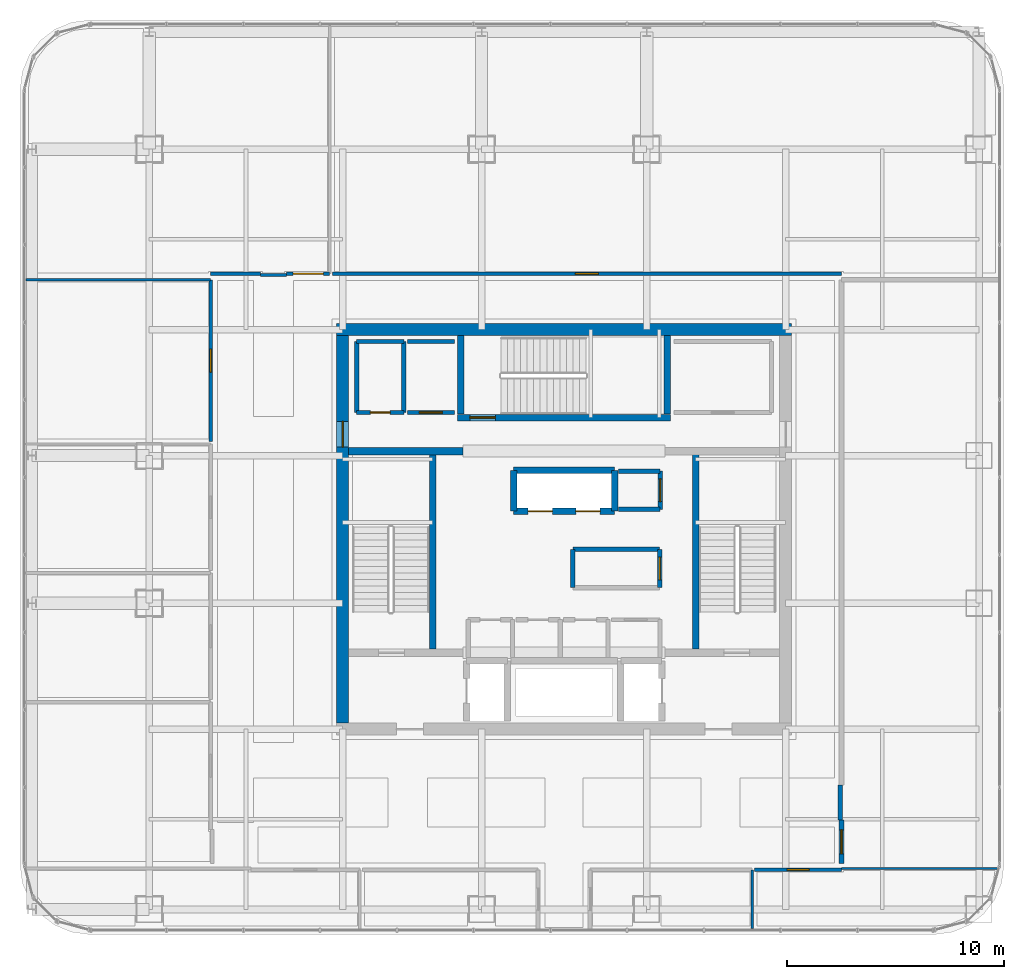
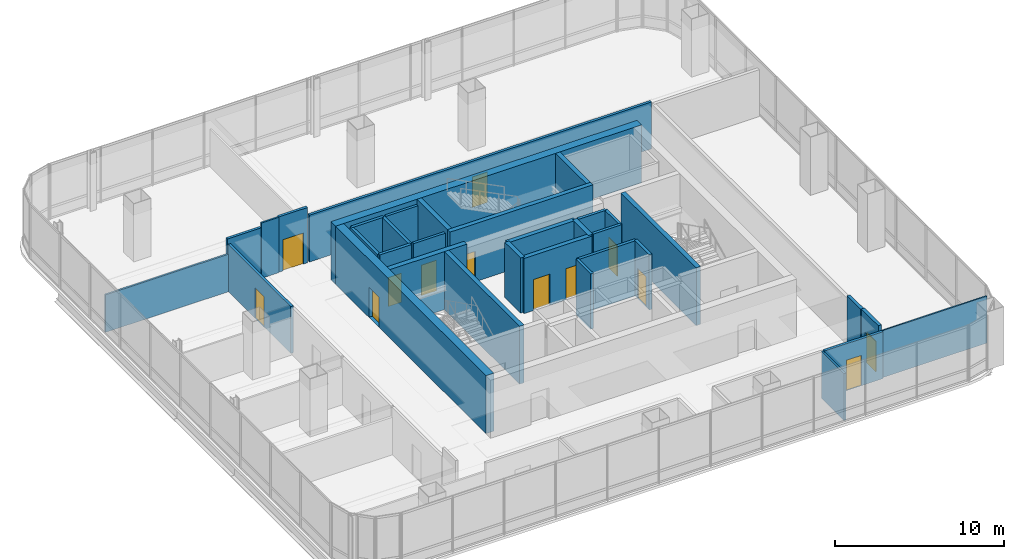
# One storey, part 35 of 42: 35 walls, 13 doors, 13 openings.
"""IFC4 building model written with IfcOpenShell, lengths in metres."""

from ifc_helpers import new_model, si_unit, direction, frame, frame_2d, origin, place, context, subcontext, project, spatial, rectangle, extrude, material, layer, layer_set, type_object, element, fill, save


model = new_model("IFC4")

# Units and contexts
model_context = context("Model", 3, precision=1e-05, world=origin(), true_north=direction((0.0, 1.0)))
body_context = subcontext(model_context, "Body", "Model", "MODEL_VIEW")
ifc_project = project(units=[si_unit("LENGTHUNIT", "METRE"), si_unit("AREAUNIT", "SQUARE_METRE"), si_unit("VOLUMEUNIT", "CUBIC_METRE"), si_unit("PLANEANGLEUNIT", "RADIAN"), si_unit("MASSUNIT", "GRAM", prefix="KILO")], contexts=[model_context])

# Site, building, storey
site_placement = place(None, origin())
site = spatial("IfcSite", under=ifc_project, at=site_placement, CompositionType="ELEMENT")
building_placement = place(site_placement, origin())
building = spatial("IfcBuilding", under=site, at=building_placement, Name="Punatoya Terracotta Tower", CompositionType="ELEMENT")
storey_placement = place(building_placement, frame((0.0, 0.0, 296.39990234375)))
storey = spatial("IfcBuildingStorey", under=building, at=storey_placement, Name="L70", CompositionType="ELEMENT", Elevation=296.39990234375)

# Wall, opening, door
ifc_material_1 = material(Name="Concrete C50/60", Category="concrete")
ifc_layer_1 = layer(ifc_material_1, 0.550048828125)
ifc_layer_set_1 = layer_set([ifc_layer_1], Name="Concrete C50/60")
wall_type_1 = type_object("IfcWallType", Name="WL-COR-550", PredefinedType="SHEAR", material=ifc_layer_set_1)
wall_1_placement = place(storey_placement, frame((-10.199951171875, -8.925048828125, 0.0), z_axis=(0.0, 0.0, 1.0), x_axis=(0.0, 1.0, 0.0)))
wall_1 = element("IfcWall", 1, at=wall_1_placement, inside=storey, type_object=wall_type_1, Name="L70 Core Shear Wall W", PredefinedType="SHEAR", context=body_context, shape_type="SweptSolid", body=[
    extrude(rectangle(XDim=17.85009765625, YDim=0.550048828125, at=frame_2d((8.925048828125, 0.0))), origin(), (0.0, 0.0, 1.0), 4.2001953125),
])
opening_1_placement = place(wall_1_placement, frame((12.715087890625, 0.0, 0.0)))
opening_1 = element("IfcOpeningElement", 2, at=opening_1_placement, cuts=wall_1, Name="Opening SD-01", PredefinedType="OPENING", context=body_context, shape_type="SweptSolid", body=[
    extrude(rectangle(XDim=1.179931640625, YDim=2.199951171875, at=frame_2d((0.58984375, 1.10009765625))), frame((0.0, 0.284912109375, 0.0), z_axis=(0.0, -1.0, 0.0), x_axis=(1.0, 0.0, 0.0)), (0.0, 0.0, 1.0), 0.570068359375),
])
ifc_material_2 = material(Name="Galvanised Steel Pressurized Stair Fire Door", Category="steel")
door_type_1 = type_object("IfcDoorType", Name="DR-STR-1180", OperationType="NOTDEFINED", PredefinedType="DOOR", material=ifc_material_2)
door_1_placement = place(opening_1_placement, origin())
door_1 = element("IfcDoor", 3, at=door_1_placement, inside=storey, type_object=door_type_1, Name="L70 Central Lift Lobby West Fire Door", OperationType="SINGLE_SWING_LEFT", OverallHeight=2.199951171875, OverallWidth=1.179931640625, PredefinedType="DOOR", context=body_context, shape_type="SweptSolid", body=[
    extrude(rectangle(XDim=1.179931640625, YDim=2.199951171875, at=frame_2d((0.58984375, 1.10009765625))), frame((0.0, 0.02490234375, 0.0), z_axis=(0.0, -1.0, 0.0), x_axis=(1.0, 0.0, 0.0)), (0.0, 0.0, 1.0), 0.050048828125),
])
fill(opening_1, door_1)

# Walls
wall_2_placement = place(storey_placement, frame((-10.47509765625, 9.199951171875, 0.0), z_axis=(0.0, 0.0, 1.0), x_axis=(1.0, 0.0, 0.0)))
element("IfcWall", 4, at=wall_2_placement, inside=storey, type_object=wall_type_1, Name="L70 Core Shear Wall N", PredefinedType="SHEAR", context=body_context, shape_type="SweptSolid", body=[
    extrude(rectangle(XDim=20.9501953125, YDim=0.550048828125, at=frame_2d((10.47509765625, 0.0))), origin(), (0.0, 0.0, 1.0), 4.2001953125),
])
ifc_material_3 = material(Name="Gypsum Fireboard + Steel Stud", Category="steel")
ifc_layer_2 = layer(ifc_material_3, 0.179931640625)
ifc_layer_set_2 = layer_set([ifc_layer_2], Name="Gypsum Fireboard + Steel Stud")
wall_type_2 = type_object("IfcWallType", Name="WL-CORR-180", PredefinedType="PARTITIONING", material=ifc_layer_set_2)
wall_3_placement = place(storey_placement, frame((-5.050048828125, 8.64990234375, 0.0), z_axis=(0.0, 0.0, 1.0), x_axis=(-1.0, 0.0, 0.0)))
element("IfcWall", 5, at=wall_3_placement, inside=storey, type_object=wall_type_2, Name="L70 West Core Print Room Partition 21", PredefinedType="PARTITIONING", context=body_context, shape_type="SweptSolid", body=[
    extrude(rectangle(XDim=2.169921875, YDim=0.179931640625, at=frame_2d((1.0849609375, 0.0))), origin(), (0.0, 0.0, 1.0), 4.0),
])

# Wall, opening, door
wall_4_placement = place(storey_placement, frame((-7.219970703125, 5.3798828125, 0.0), z_axis=(0.0, 0.0, 1.0), x_axis=(1.0, 0.0, 0.0)))
wall_4 = element("IfcWall", 6, at=wall_4_placement, inside=storey, type_object=wall_type_2, Name="L70 West Core Print Room Partition 22", PredefinedType="PARTITIONING", context=body_context, shape_type="SweptSolid", body=[
    extrude(rectangle(XDim=2.169921875, YDim=0.179931640625, at=frame_2d((1.0849609375, 0.0))), origin(), (0.0, 0.0, 1.0), 4.0),
])
opening_2_placement = place(wall_4_placement, frame((0.56005859375, 0.0, 0.0)))
opening_2 = element("IfcOpeningElement", 7, at=opening_2_placement, cuts=wall_4, Name="Opening OD-01", PredefinedType="OPENING", context=body_context, shape_type="SweptSolid", body=[
    extrude(rectangle(XDim=1.050048828125, YDim=2.199951171875, at=frame_2d((0.52490234375, 1.10009765625))), frame((0.0, 0.099853515625, 0.0), z_axis=(0.0, -1.0, 0.0), x_axis=(1.0, 0.0, 0.0)), (0.0, 0.0, 1.0), 0.199951171875),
])
ifc_material_4 = material(Name="Bengal Teak Solid-Core Leaf")
door_type_2 = type_object("IfcDoorType", Name="DR-OFF-1050", OperationType="NOTDEFINED", PredefinedType="DOOR", material=ifc_material_4)
door_2_placement = place(opening_2_placement, origin())
door_2 = element("IfcDoor", 8, at=door_2_placement, inside=storey, type_object=door_type_2, Name="L70 West Print Room Door", OperationType="SINGLE_SWING_LEFT", OverallHeight=2.199951171875, OverallWidth=1.050048828125, PredefinedType="DOOR", context=body_context, shape_type="SweptSolid", body=[
    extrude(rectangle(XDim=1.050048828125, YDim=2.199951171875, at=frame_2d((0.52490234375, 1.10009765625))), frame((0.0, 0.02490234375, 0.0), z_axis=(0.0, -1.0, 0.0), x_axis=(1.0, 0.0, 0.0)), (0.0, 0.0, 1.0), 0.050048828125),
])
fill(opening_2, door_2)

wall_5_placement = place(storey_placement, frame((8.77197265625, -15.669921875, 0.0), z_axis=(0.0, 0.0, 1.0), x_axis=(1.0, 0.0, 0.0)))
wall_5 = element("IfcWall", 9, at=wall_5_placement, inside=storey, type_object=wall_type_2, Name="L70 Open-Plan Press Briefing Room Partition 34", PredefinedType="PARTITIONING", context=body_context, shape_type="SweptSolid", body=[
    extrude(rectangle(XDim=3.998046875, YDim=0.179931640625, at=frame_2d((1.9990234375, 0.0))), origin(), (0.0, 0.0, 1.0), 3.39404296875),
])
opening_3_placement = place(wall_5_placement, frame((1.489013671875, 0.0, 0.0)))
opening_3 = element("IfcOpeningElement", 10, at=opening_3_placement, cuts=wall_5, Name="Opening MD-01", PredefinedType="OPENING", context=body_context, shape_type="SweptSolid", body=[
    extrude(rectangle(XDim=1.02001953125, YDim=2.199951171875, at=frame_2d((0.510009765625, 1.10009765625))), frame((0.0, 0.099853515625, 0.0), z_axis=(0.0, -1.0, 0.0), x_axis=(1.0, 0.0, 0.0)), (0.0, 0.0, 1.0), 0.199951171875),
])
ifc_material_5 = material(Name="Aluminium + Acoustic Glass Leaf", Category="aluminium")
door_type_3 = type_object("IfcDoorType", Name="DR-MTG-1020", OperationType="NOTDEFINED", PredefinedType="DOOR", material=ifc_material_5)
door_3_placement = place(opening_3_placement, origin())
door_3 = element("IfcDoor", 11, at=door_3_placement, inside=storey, type_object=door_type_3, Name="L70 Open-Plan Press Briefing Room Door", OperationType="SINGLE_SWING_RIGHT", OverallHeight=2.199951171875, OverallWidth=1.02001953125, PredefinedType="DOOR", context=body_context, shape_type="SweptSolid", body=[
    extrude(rectangle(XDim=1.02001953125, YDim=2.199951171875, at=frame_2d((0.510009765625, 1.10009765625))), frame((0.0, 0.02490234375, 0.0), z_axis=(0.0, -1.0, 0.0), x_axis=(1.0, 0.0, 0.0)), (0.0, 0.0, 1.0), 0.050048828125),
])
fill(opening_3, door_3)

wall_6_placement = place(storey_placement, frame((-16.27001953125, 11.489990234375, 0.0), z_axis=(0.0, 0.0, 1.0), x_axis=(0.0, -1.0, 0.0)))
wall_6 = element("IfcWall", 12, at=wall_6_placement, inside=storey, type_object=wall_type_2, Name="L70 Client Briefing Office Partition 48", PredefinedType="PARTITIONING", context=body_context, shape_type="SweptSolid", body=[
    extrude(rectangle(XDim=7.43994140625, YDim=0.179931640625, at=frame_2d((3.719970703125, 0.0))), origin(), (0.0, 0.0, 1.0), 3.39404296875),
])
opening_4_placement = place(wall_6_placement, frame((3.195068359375, 0.0, 0.0)))
opening_4 = element("IfcOpeningElement", 13, at=opening_4_placement, cuts=wall_6, Name="Opening OD-01", PredefinedType="OPENING", context=body_context, shape_type="SweptSolid", body=[
    extrude(rectangle(XDim=1.050048828125, YDim=2.199951171875, at=frame_2d((0.52490234375, 1.10009765625))), frame((0.0, 0.099853515625, 0.0), z_axis=(0.0, -1.0, 0.0), x_axis=(1.0, 0.0, 0.0)), (0.0, 0.0, 1.0), 0.199951171875),
])
door_4_placement = place(opening_4_placement, origin())
door_4 = element("IfcDoor", 14, at=door_4_placement, inside=storey, type_object=door_type_2, Name="L70 Client Briefing Office Door", OperationType="SINGLE_SWING_LEFT", OverallHeight=2.199951171875, OverallWidth=1.050048828125, PredefinedType="DOOR", context=body_context, shape_type="SweptSolid", body=[
    extrude(rectangle(XDim=1.050048828125, YDim=2.199951171875, at=frame_2d((0.52490234375, 1.10009765625))), frame((0.0, 0.02490234375, 0.0), z_axis=(0.0, -1.0, 0.0), x_axis=(1.0, 0.0, 0.0)), (0.0, 0.0, 1.0), 0.050048828125),
])
fill(opening_4, door_4)

wall_7_placement = place(storey_placement, frame((-10.7939453125, 11.77001953125, 0.0), z_axis=(0.0, 0.0, 1.0), x_axis=(-1.0, 0.0, 0.0)))
wall_7 = element("IfcWall", 15, at=wall_7_placement, inside=storey, type_object=wall_type_2, Name="L70 Visualization Review Room Partition 50", PredefinedType="PARTITIONING", context=body_context, shape_type="SweptSolid", body=[
    extrude(rectangle(XDim=1.97607421875, YDim=0.179931640625, at=frame_2d((0.988037109375, 0.0))), origin(), (0.0, 0.0, 1.0), 4.0),
])
opening_5_placement = place(wall_7_placement, frame((0.2880859375, 0.0, 0.0)))
opening_5 = element("IfcOpeningElement", 16, at=opening_5_placement, cuts=wall_7, Name="Opening BD-01", PredefinedType="OPENING", context=body_context, shape_type="SweptSolid", body=[
    extrude(rectangle(XDim=1.39990234375, YDim=2.25, at=frame_2d((0.699951171875, 1.125))), frame((0.0, 0.099853515625, 0.0), z_axis=(0.0, -1.0, 0.0), x_axis=(1.0, 0.0, 0.0)), (0.0, 0.0, 1.0), 0.199951171875),
])
ifc_material_6 = material(Name="Bengal Teak Acoustic Leaf")
door_type_4 = type_object("IfcDoorType", Name="DR-BRD-1400", OperationType="NOTDEFINED", PredefinedType="DOOR", material=ifc_material_6)
door_5_placement = place(opening_5_placement, origin())
door_5 = element("IfcDoor", 17, at=door_5_placement, inside=storey, type_object=door_type_4, Name="L70 Visualization Review Room Door", OperationType="SINGLE_SWING_RIGHT", OverallHeight=2.25, OverallWidth=1.39990234375, PredefinedType="DOOR", context=body_context, shape_type="SweptSolid", body=[
    extrude(rectangle(XDim=1.39990234375, YDim=2.25, at=frame_2d((0.699951171875, 1.125))), frame((0.0, 0.02490234375, 0.0), z_axis=(0.0, -1.0, 0.0), x_axis=(1.0, 0.0, 0.0)), (0.0, 0.0, 1.0), 0.050048828125),
])
fill(opening_5, door_5)

# Wall
wall_8_placement = place(storey_placement, frame((-13.97998046875, 11.77001953125, 0.0), z_axis=(0.0, 0.0, 1.0), x_axis=(-1.0, 0.0, 0.0)))
element("IfcWall", 18, at=wall_8_placement, inside=storey, type_object=wall_type_2, Name="L70 Visualization Review Room Partition 52", PredefinedType="PARTITIONING", context=body_context, shape_type="SweptSolid", body=[
    extrude(rectangle(XDim=2.2900390625, YDim=0.179931640625, at=frame_2d((1.14501953125, 0.0))), origin(), (0.0, 0.0, 1.0), 3.634033203125),
])

# Wall, opening, door
wall_9_placement = place(storey_placement, frame((12.77001953125, 11.77001953125, 0.0), z_axis=(0.0, 0.0, 1.0), x_axis=(-1.0, 0.0, 0.0)))
wall_9 = element("IfcWall", 19, at=wall_9_placement, inside=storey, type_object=wall_type_2, Name="L70 Client Media Salon Partition 53", PredefinedType="PARTITIONING", context=body_context, shape_type="SweptSolid", body=[
    extrude(rectangle(XDim=23.444091796875, YDim=0.179931640625, at=frame_2d((11.72216796875, 0.0))), origin(), (0.0, 0.0, 1.0), 3.39404296875),
])
opening_6_placement = place(wall_9_placement, frame((11.197021484375, 0.0, 0.0)))
opening_6 = element("IfcOpeningElement", 20, at=opening_6_placement, cuts=wall_9, Name="Opening OD-01", PredefinedType="OPENING", context=body_context, shape_type="SweptSolid", body=[
    extrude(rectangle(XDim=1.050048828125, YDim=2.199951171875, at=frame_2d((0.52490234375, 1.10009765625))), frame((0.0, 0.099853515625, 0.0), z_axis=(0.0, -1.0, 0.0), x_axis=(1.0, 0.0, 0.0)), (0.0, 0.0, 1.0), 0.199951171875),
])
door_6_placement = place(opening_6_placement, origin())
door_6 = element("IfcDoor", 21, at=door_6_placement, inside=storey, type_object=door_type_2, Name="L70 Client Media Salon Door", OperationType="SINGLE_SWING_LEFT", OverallHeight=2.199951171875, OverallWidth=1.050048828125, PredefinedType="DOOR", context=body_context, shape_type="SweptSolid", body=[
    extrude(rectangle(XDim=1.050048828125, YDim=2.199951171875, at=frame_2d((0.52490234375, 1.10009765625))), frame((0.0, 0.02490234375, 0.0), z_axis=(0.0, -1.0, 0.0), x_axis=(1.0, 0.0, 0.0)), (0.0, 0.0, 1.0), 0.050048828125),
])
fill(opening_6, door_6)

ifc_material_7 = material(Name="Concrete C40/50", Category="concrete")
ifc_layer_3 = layer(ifc_material_7, 0.219970703125)
ifc_layer_set_3 = layer_set([ifc_layer_3], Name="Concrete C40/50")
wall_type_3 = type_object("IfcWallType", Name="WL-FIR-220", PredefinedType="SOLIDWALL", material=ifc_layer_set_3)
wall_10_placement = place(storey_placement, frame((12.77001953125, -15.389892578125, 0.0), z_axis=(0.0, 0.0, 1.0), x_axis=(0.0, 1.0, 0.0)))
wall_10 = element("IfcWall", 22, at=wall_10_placement, inside=storey, type_object=wall_type_3, Name="L70 Model-Making Archive Partition 41", PredefinedType="SOLIDWALL", context=body_context, shape_type="SweptSolid", body=[
    extrude(rectangle(XDim=2.010009765625, YDim=0.219970703125, at=frame_2d((1.0048828125, 0.0))), origin(), (0.0, 0.0, 1.0), 3.634033203125),
])
opening_7_placement = place(wall_10_placement, frame((0.455078125, 0.0, 0.0)))
opening_7 = element("IfcOpeningElement", 23, at=opening_7_placement, cuts=wall_10, Name="Opening FD-P1", PredefinedType="OPENING", context=body_context, shape_type="SweptSolid", body=[
    extrude(rectangle(XDim=1.10009765625, YDim=2.199951171875, at=frame_2d((0.550048828125, 1.10009765625))), frame((0.0, 0.119873046875, 0.0), z_axis=(0.0, -1.0, 0.0), x_axis=(1.0, 0.0, 0.0)), (0.0, 0.0, 1.0), 0.239990234375),
])
ifc_material_8 = material(Name="Galvanised Steel Plant Fire Door", Category="steel")
door_type_5 = type_object("IfcDoorType", Name="DR-PLT-1100", OperationType="NOTDEFINED", PredefinedType="DOOR", material=ifc_material_8)
door_7_placement = place(opening_7_placement, origin())
door_7 = element("IfcDoor", 24, at=door_7_placement, inside=storey, type_object=door_type_5, Name="L70 Model-Making Archive Fire Door", OperationType="SINGLE_SWING_LEFT", OverallHeight=2.199951171875, OverallWidth=1.10009765625, PredefinedType="DOOR", context=body_context, shape_type="SweptSolid", body=[
    extrude(rectangle(XDim=1.10009765625, YDim=2.199951171875, at=frame_2d((0.550048828125, 1.10009765625))), frame((0.0, 0.02490234375, 0.0), z_axis=(0.0, -1.0, 0.0), x_axis=(1.0, 0.0, 0.0)), (0.0, 0.0, 1.0), 0.050048828125),
])
fill(opening_7, door_7)

# Walls
wall_11_placement = place(storey_placement, frame((12.7099609375, -13.3798828125, 0.0), z_axis=(0.0, 0.0, 1.0), x_axis=(0.0, 1.0, 0.0)))
element("IfcWall", 25, at=wall_11_placement, inside=storey, type_object=wall_type_3, Name="L70 Model-Making Archive Partition 42", PredefinedType="SOLIDWALL", context=body_context, shape_type="SweptSolid", body=[
    extrude(rectangle(XDim=1.60986328125, YDim=0.219970703125, at=frame_2d((0.804931640625, 0.0))), origin(), (0.0, 0.0, 1.0), 3.634033203125),
])
ifc_material_9 = material(Name="Aluminium Framed Acoustic Glass Partition", Category="aluminium")
ifc_layer_4 = layer(ifc_material_9, 0.10009765625)
ifc_layer_set_4 = layer_set([ifc_layer_4], Name="Aluminium Framed Acoustic Glass Partition")
wall_type_4 = type_object("IfcWallType", Name="WL-GLZ-100", PredefinedType="PARTITIONING", material=ifc_layer_set_4)
wall_12_placement = place(storey_placement, frame((12.77001953125, -15.610107421875, 0.0), z_axis=(0.0, 0.0, 1.0), x_axis=(1.0, 0.0, 0.0)))
element("IfcWall", 26, at=wall_12_placement, inside=storey, type_object=wall_type_4, Name="L70 Open-Plan Press Briefing Room Partition 35", PredefinedType="PARTITIONING", context=body_context, shape_type="SweptSolid", body=[
    extrude(rectangle(XDim=7.176513671875, YDim=0.10009765625, at=frame_2d((3.58837890625, 0.0))), origin(), (0.0, 0.0, 1.0), 3.39404296875),
])

# Wall, opening, door
ifc_layer_5 = layer(ifc_material_7, 0.199951171875)
ifc_layer_set_5 = layer_set([ifc_layer_5], Name="Concrete C40/50")
wall_type_5 = type_object("IfcWallType", Name="WL-INT-200", PredefinedType="SOLIDWALL", material=ifc_layer_set_5)
wall_13_placement = place(storey_placement, frame((4.39990234375, -2.679931640625, 0.0), z_axis=(0.0, 0.0, 1.0), x_axis=(0.0, 1.0, 0.0)))
wall_13 = element("IfcWall", 27, at=wall_13_placement, inside=storey, type_object=wall_type_5, Name="L70 East Core Tea Pantry Partition 10", PredefinedType="SOLIDWALL", context=body_context, shape_type="SweptSolid", body=[
    extrude(rectangle(XDim=1.760009765625, YDim=0.199951171875, at=frame_2d((0.8798828125, 0.0))), origin(), (0.0, 0.0, 1.0), 4.0),
])
opening_8_placement = place(wall_13_placement, frame((0.35498046875, 0.0, 0.0)))
opening_8 = element("IfcOpeningElement", 28, at=opening_8_placement, cuts=wall_13, Name="Opening OD-01", PredefinedType="OPENING", context=body_context, shape_type="SweptSolid", body=[
    extrude(rectangle(XDim=1.050048828125, YDim=2.199951171875, at=frame_2d((0.52490234375, 1.10009765625))), frame((0.0, 0.10986328125, 0.0), z_axis=(0.0, -1.0, 0.0), x_axis=(1.0, 0.0, 0.0)), (0.0, 0.0, 1.0), 0.219970703125),
])
door_8_placement = place(opening_8_placement, origin())
door_8 = element("IfcDoor", 29, at=door_8_placement, inside=storey, type_object=door_type_2, Name="L70 East Tea Pantry Door", OperationType="SINGLE_SWING_RIGHT", OverallHeight=2.199951171875, OverallWidth=1.050048828125, PredefinedType="DOOR", context=body_context, shape_type="SweptSolid", body=[
    extrude(rectangle(XDim=1.050048828125, YDim=2.199951171875, at=frame_2d((0.52490234375, 1.10009765625))), frame((0.0, 0.02490234375, 0.0), z_axis=(0.0, -1.0, 0.0), x_axis=(1.0, 0.0, 0.0)), (0.0, 0.0, 1.0), 0.050048828125),
])
fill(opening_8, door_8)

# Walls
wall_14_placement = place(storey_placement, frame((4.39990234375, -0.919921875, 0.0), z_axis=(0.0, 0.0, 1.0), x_axis=(-1.0, 0.0, 0.0)))
element("IfcWall", 30, at=wall_14_placement, inside=storey, type_object=wall_type_5, Name="L70 East Core Tea Pantry Partition 11", PredefinedType="SOLIDWALL", context=body_context, shape_type="SweptSolid", body=[
    extrude(rectangle(XDim=4.0, YDim=0.199951171875, at=frame_2d((2.0, 0.0))), origin(), (0.0, 0.0, 1.0), 4.0),
])
wall_15_placement = place(storey_placement, frame((0.39990234375, -0.919921875, 0.0), z_axis=(0.0, 0.0, 1.0), x_axis=(0.0, -1.0, 0.0)))
element("IfcWall", 31, at=wall_15_placement, inside=storey, type_object=wall_type_5, Name="L70 East Core Tea Pantry Partition 12", PredefinedType="SOLIDWALL", context=body_context, shape_type="SweptSolid", body=[
    extrude(rectangle(XDim=1.760009765625, YDim=0.199951171875, at=frame_2d((0.8798828125, 0.0))), origin(), (0.0, 0.0, 1.0), 4.0),
])

# Wall, opening, door
wall_16_placement = place(storey_placement, frame((4.419921875, 0.919921875, 0.0), z_axis=(0.0, 0.0, 1.0), x_axis=(0.0, 1.0, 0.0)))
wall_16 = element("IfcWall", 32, at=wall_16_placement, inside=storey, type_object=wall_type_5, Name="L70 Executive Steward Pantry Partition 14", PredefinedType="SOLIDWALL", context=body_context, shape_type="SweptSolid", body=[
    extrude(rectangle(XDim=1.760009765625, YDim=0.199951171875, at=frame_2d((0.8798828125, 0.0))), origin(), (0.0, 0.0, 1.0), 4.0),
])
opening_9_placement = place(wall_16_placement, frame((0.35498046875, 0.0, 0.0)))
opening_9 = element("IfcOpeningElement", 33, at=opening_9_placement, cuts=wall_16, Name="Opening OD-01", PredefinedType="OPENING", context=body_context, shape_type="SweptSolid", body=[
    extrude(rectangle(XDim=1.050048828125, YDim=2.199951171875, at=frame_2d((0.52490234375, 1.10009765625))), frame((0.0, 0.10986328125, 0.0), z_axis=(0.0, -1.0, 0.0), x_axis=(1.0, 0.0, 0.0)), (0.0, 0.0, 1.0), 0.219970703125),
])
door_9_placement = place(opening_9_placement, origin())
door_9 = element("IfcDoor", 34, at=door_9_placement, inside=storey, type_object=door_type_2, Name="L70 Executive Steward Pantry Door", OperationType="SINGLE_SWING_LEFT", OverallHeight=2.199951171875, OverallWidth=1.050048828125, PredefinedType="DOOR", context=body_context, shape_type="SweptSolid", body=[
    extrude(rectangle(XDim=1.050048828125, YDim=2.199951171875, at=frame_2d((0.52490234375, 1.10009765625))), frame((0.0, 0.02490234375, 0.0), z_axis=(0.0, -1.0, 0.0), x_axis=(1.0, 0.0, 0.0)), (0.0, 0.0, 1.0), 0.050048828125),
])
fill(opening_9, door_9)

# Walls
for number, where, z_axis, x_axis, name in (
    (35, (4.419921875, 2.679931640625, 0.0), (0.0, 0.0, 1.0), (-1.0, 0.0, 0.0), "L70 Executive Steward Pantry Partition 15"),
    (36, (2.5, 0.919921875, 0.0), (0.0, 0.0, 1.0), (1.0, 0.0, 0.0), "L70 Executive Steward Pantry Partition 16"),
):
    element("IfcWall", number, at=place(storey_placement, frame(where, z_axis=z_axis, x_axis=x_axis)), inside=storey, type_object=wall_type_5, Name=name, PredefinedType="SOLIDWALL", context=body_context, shape_type="SweptSolid", body=[
        extrude(rectangle(XDim=1.919921875, YDim=0.199951171875, at=frame_2d((0.9599609375, 0.0))), origin(), (0.0, 0.0, 1.0), 4.0),
    ])
wall_17_placement = place(storey_placement, frame((-7.3798828125, 5.3798828125, 0.0), z_axis=(0.0, 0.0, 1.0), x_axis=(0.0, 1.0, 0.0)))
element("IfcWall", 37, at=wall_17_placement, inside=storey, type_object=wall_type_5, Name="L70 West Core Archive Vault Partition 17", PredefinedType="SOLIDWALL", context=body_context, shape_type="SweptSolid", body=[
    extrude(rectangle(XDim=3.27001953125, YDim=0.199951171875, at=frame_2d((1.635009765625, 0.0))), origin(), (0.0, 0.0, 1.0), 4.0),
])
wall_18_placement = place(storey_placement, frame((-7.3798828125, 8.64990234375, 0.0), z_axis=(0.0, 0.0, 1.0), x_axis=(-1.0, 0.0, 0.0)))
element("IfcWall", 38, at=wall_18_placement, inside=storey, type_object=wall_type_5, Name="L70 West Core Archive Vault Partition 18", PredefinedType="SOLIDWALL", context=body_context, shape_type="SweptSolid", body=[
    extrude(rectangle(XDim=2.170166015625, YDim=0.199951171875, at=frame_2d((1.0849609375, 0.0))), origin(), (0.0, 0.0, 1.0), 4.0),
])
wall_19_placement = place(storey_placement, frame((-9.550048828125, 8.64990234375, 0.0), z_axis=(0.0, 0.0, 1.0), x_axis=(0.0, -1.0, 0.0)))
element("IfcWall", 39, at=wall_19_placement, inside=storey, type_object=wall_type_5, Name="L70 West Core Archive Vault Partition 19", PredefinedType="SOLIDWALL", context=body_context, shape_type="SweptSolid", body=[
    extrude(rectangle(XDim=3.27001953125, YDim=0.199951171875, at=frame_2d((1.635009765625, 0.0))), origin(), (0.0, 0.0, 1.0), 4.0),
])

# Wall, opening, door
wall_20_placement = place(storey_placement, frame((-9.550048828125, 5.3798828125, 0.0), z_axis=(0.0, 0.0, 1.0), x_axis=(1.0, 0.0, 0.0)))
wall_20 = element("IfcWall", 40, at=wall_20_placement, inside=storey, type_object=wall_type_5, Name="L70 West Core Archive Vault Partition 20", PredefinedType="SOLIDWALL", context=body_context, shape_type="SweptSolid", body=[
    extrude(rectangle(XDim=2.170166015625, YDim=0.199951171875, at=frame_2d((1.0849609375, 0.0))), origin(), (0.0, 0.0, 1.0), 4.0),
])
opening_10_placement = place(wall_20_placement, frame((0.625, 0.0, 0.0)))
opening_10 = element("IfcOpeningElement", 41, at=opening_10_placement, cuts=wall_20, Name="Opening FD-R1", PredefinedType="OPENING", context=body_context, shape_type="SweptSolid", body=[
    extrude(rectangle(XDim=0.919921875, YDim=2.10009765625, at=frame_2d((0.4599609375, 1.050048828125))), frame((0.0, 0.10986328125, 0.0), z_axis=(0.0, -1.0, 0.0), x_axis=(1.0, 0.0, 0.0)), (0.0, 0.0, 1.0), 0.219970703125),
])
ifc_material_10 = material(Name="Galvanised Steel Riser Fire Access Door", Category="steel")
door_type_6 = type_object("IfcDoorType", Name="DR-RSR-920", OperationType="NOTDEFINED", PredefinedType="DOOR", material=ifc_material_10)
door_10_placement = place(opening_10_placement, origin())
door_10 = element("IfcDoor", 42, at=door_10_placement, inside=storey, type_object=door_type_6, Name="L70 West Core Archive Vault Fire Door", OperationType="SINGLE_SWING_RIGHT", OverallHeight=2.10009765625, OverallWidth=0.919921875, PredefinedType="DOOR", context=body_context, shape_type="SweptSolid", body=[
    extrude(rectangle(XDim=0.919921875, YDim=2.10009765625, at=frame_2d((0.4599609375, 1.050048828125))), frame((0.0, 0.02490234375, 0.0), z_axis=(0.0, -1.0, 0.0), x_axis=(1.0, 0.0, 0.0)), (0.0, 0.0, 1.0), 0.050048828125),
])
fill(opening_10, door_10)

# Walls
ifc_material_11 = material(Name="Gypsum Partition + Steel Stud", Category="steel")
ifc_layer_6 = layer(ifc_material_11, 0.1201171875)
ifc_layer_set_6 = layer_set([ifc_layer_6], Name="Gypsum Partition + Steel Stud")
wall_type_6 = type_object("IfcWallType", Name="WL-OFF-120", PredefinedType="PARTITIONING", material=ifc_layer_set_6)
wall_21_placement = place(storey_placement, frame((8.652099609375, -15.669921875, 0.0), z_axis=(0.0, 0.0, 1.0), x_axis=(0.0, -1.0, 0.0)))
element("IfcWall", 43, at=wall_21_placement, inside=storey, type_object=wall_type_6, Name="L70 Open-Plan Graphic Design Workplace Partition 33", PredefinedType="PARTITIONING", context=body_context, shape_type="SweptSolid", body=[
    extrude(rectangle(XDim=2.7001953125, YDim=0.1201171875, at=frame_2d((1.35009765625, 0.0))), origin(), (0.0, 0.0, 1.0), 3.39404296875),
])
wall_22_placement = place(storey_placement, frame((-24.77001953125, 11.489990234375, 0.0), z_axis=(0.0, 0.0, 1.0), x_axis=(1.0, 0.0, 0.0)))
element("IfcWall", 44, at=wall_22_placement, inside=storey, type_object=wall_type_6, Name="L70 Client Briefing Office Partition 47", PredefinedType="PARTITIONING", context=body_context, shape_type="SweptSolid", body=[
    extrude(rectangle(XDim=8.5, YDim=0.1201171875, at=frame_2d((4.25, 0.0))), origin(), (0.0, 0.0, 1.0), 2.714111328125),
])
wall_23_placement = place(storey_placement, frame((-12.77001953125, 11.7099609375, 0.0), z_axis=(0.0, 0.0, 1.0), x_axis=(-1.0, 0.0, 0.0)))
element("IfcWall", 45, at=wall_23_placement, inside=storey, type_object=wall_type_6, Name="L70 Visualization Review Room Partition 51", PredefinedType="PARTITIONING", context=body_context, shape_type="SweptSolid", body=[
    extrude(rectangle(XDim=1.2099609375, YDim=0.1201171875, at=frame_2d((0.60498046875, 0.0))), origin(), (0.0, 0.0, 1.0), 4.0),
])
ifc_layer_7 = layer(ifc_material_7, 0.300048828125)
ifc_layer_set_7 = layer_set([ifc_layer_7], Name="Concrete C40/50")
wall_type_7 = type_object("IfcWallType", Name="WL-SHF-300", PredefinedType="SOLIDWALL", material=ifc_layer_set_7)
for number, where, z_axis, x_axis, name in (
    (46, (-6.050048828125, -5.5, 0.0), (0.0, 0.0, 1.0), (0.0, 1.0, 0.0), "L70 Structural Stair Shaft Wall SW-ST1-E"),
    (47, (6.050048828125, 3.449951171875, 0.0), (0.0, 0.0, 1.0), (0.0, -1.0, 0.0), "L70 Structural Stair Shaft Wall SW-ST2-W"),
):
    element("IfcWall", number, at=place(storey_placement, frame(where, z_axis=z_axis, x_axis=x_axis)), inside=storey, type_object=wall_type_7, Name=name, PredefinedType="SOLIDWALL", context=body_context, shape_type="SweptSolid", body=[
        extrude(rectangle(XDim=8.949951171875, YDim=0.300048828125, at=frame_2d((4.47509765625, 0.0))), origin(), (0.0, 0.0, 1.0), 4.2001953125),
    ])
for number, where, z_axis, x_axis, name in (
    (48, (-4.75, 5.300048828125, 0.0), (0.0, 0.0, 1.0), (0.0, 1.0, 0.0), "L70 Structural Stair Shaft Wall SW-ST3-W"),
    (49, (4.75, 8.925048828125, 0.0), (0.0, 0.0, 1.0), (0.0, -1.0, 0.0), "L70 Structural Stair Shaft Wall SW-ST3-E"),
):
    element("IfcWall", number, at=place(storey_placement, frame(where, z_axis=z_axis, x_axis=x_axis)), inside=storey, type_object=wall_type_7, Name=name, PredefinedType="SOLIDWALL", context=body_context, shape_type="SweptSolid", body=[
        extrude(rectangle(XDim=3.625, YDim=0.300048828125, at=frame_2d((1.8125, 0.0))), origin(), (0.0, 0.0, 1.0), 4.2001953125),
    ])

# Wall, opening, door
wall_24_placement = place(storey_placement, frame((-4.89990234375, 5.14990234375, 0.0), z_axis=(0.0, 0.0, 1.0), x_axis=(1.0, 0.0, 0.0)))
wall_24 = element("IfcWall", 50, at=wall_24_placement, inside=storey, type_object=wall_type_7, Name="L70 Structural Stair Shaft Wall SW-ST3-S", PredefinedType="SOLIDWALL", context=body_context, shape_type="SweptSolid", body=[
    extrude(rectangle(XDim=9.7998046875, YDim=0.300048828125, at=frame_2d((4.89990234375, 0.0))), origin(), (0.0, 0.0, 1.0), 4.2001953125),
])
opening_11_placement = place(wall_24_placement, frame((0.56005859375, 0.0, 0.0)))
opening_11 = element("IfcOpeningElement", 51, at=opening_11_placement, cuts=wall_24, Name="Opening SD-01", PredefinedType="OPENING", context=body_context, shape_type="SweptSolid", body=[
    extrude(rectangle(XDim=1.179931640625, YDim=2.199951171875, at=frame_2d((0.58984375, 1.10009765625))), frame((0.0, 0.159912109375, 0.0), z_axis=(0.0, -1.0, 0.0), x_axis=(1.0, 0.0, 0.0)), (0.0, 0.0, 1.0), 0.320068359375),
])
door_11_placement = place(opening_11_placement, origin())
door_11 = element("IfcDoor", 52, at=door_11_placement, inside=storey, type_object=door_type_1, Name="L70 Stair ST-3 Core Lobby Fire Door", OperationType="SINGLE_SWING_LEFT", OverallHeight=2.199951171875, OverallWidth=1.179931640625, PredefinedType="DOOR", context=body_context, shape_type="SweptSolid", body=[
    extrude(rectangle(XDim=1.179931640625, YDim=2.199951171875, at=frame_2d((0.58984375, 1.10009765625))), frame((0.0, 0.02490234375, 0.0), z_axis=(0.0, -1.0, 0.0), x_axis=(1.0, 0.0, 0.0)), (0.0, 0.0, 1.0), 0.050048828125),
])
fill(opening_11, door_11)

# Wall, openings, doors
wall_25_placement = place(storey_placement, frame((-2.320068359375, 0.840087890625, 0.0), z_axis=(0.0, 0.0, 1.0), x_axis=(1.0, 0.0, 0.0)))
wall_25 = element("IfcWall", 53, at=wall_25_placement, inside=storey, type_object=wall_type_7, Name="L70 North Lift Bank Front Shaft Wall", PredefinedType="SOLIDWALL", context=body_context, shape_type="SweptSolid", body=[
    extrude(rectangle(XDim=4.64013671875, YDim=0.300048828125, at=frame_2d((2.320068359375, 0.0))), origin(), (0.0, 0.0, 1.0), 4.0),
])
opening_12_placement = place(wall_25_placement, frame((0.659912109375, 0.0, 0.0)))
opening_12 = element("IfcOpeningElement", 54, at=opening_12_placement, cuts=wall_25, Name="Opening LD-02", PredefinedType="OPENING", context=body_context, shape_type="SweptSolid", body=[
    extrude(rectangle(XDim=1.1201171875, YDim=2.25, at=frame_2d((0.56005859375, 1.125))), frame((0.0, 0.159912109375, 0.0), z_axis=(0.0, -1.0, 0.0), x_axis=(1.0, 0.0, 0.0)), (0.0, 0.0, 1.0), 0.320068359375),
])
opening_13_placement = place(wall_25_placement, frame((2.860107421875, 0.0, 0.0)))
opening_13 = element("IfcOpeningElement", 55, at=opening_13_placement, cuts=wall_25, Name="Opening LD-02", PredefinedType="OPENING", context=body_context, shape_type="SweptSolid", body=[
    extrude(rectangle(XDim=1.1201171875, YDim=2.25, at=frame_2d((0.56005859375, 1.125))), frame((0.0, 0.159912109375, 0.0), z_axis=(0.0, -1.0, 0.0), x_axis=(1.0, 0.0, 0.0)), (0.0, 0.0, 1.0), 0.320068359375),
])
ifc_material_12 = material(Name="Stainless Steel Lift Landing Door", Category="steel")
door_type_7 = type_object("IfcDoorType", Name="DR-LND-1120", OperationType="NOTDEFINED", PredefinedType="DOOR", material=ifc_material_12)
door_12_placement = place(opening_12_placement, origin())
door_12 = element("IfcDoor", 56, at=door_12_placement, inside=storey, type_object=door_type_7, Name="L70 Lift PL-E1 Sliding Landing Door", OperationType="DOUBLE_DOOR_SLIDING", OverallHeight=2.25, OverallWidth=1.1201171875, PredefinedType="DOOR", context=body_context, shape_type="SweptSolid", body=[
    extrude(rectangle(XDim=1.1201171875, YDim=2.25, at=frame_2d((0.56005859375, 1.125))), frame((0.0, 0.02490234375, 0.0), z_axis=(0.0, -1.0, 0.0), x_axis=(1.0, 0.0, 0.0)), (0.0, 0.0, 1.0), 0.050048828125),
])
fill(opening_12, door_12)
door_13_placement = place(opening_13_placement, origin())
door_13 = element("IfcDoor", 57, at=door_13_placement, inside=storey, type_object=door_type_7, Name="L70 Lift PL-E2 Sliding Landing Door", OperationType="DOUBLE_DOOR_SLIDING", OverallHeight=2.25, OverallWidth=1.1201171875, PredefinedType="DOOR", context=body_context, shape_type="SweptSolid", body=[
    extrude(rectangle(XDim=1.1201171875, YDim=2.25, at=frame_2d((0.56005859375, 1.125))), frame((0.0, 0.02490234375, 0.0), z_axis=(0.0, -1.0, 0.0), x_axis=(1.0, 0.0, 0.0)), (0.0, 0.0, 1.0), 0.050048828125),
])
fill(opening_13, door_13)

# Walls
wall_26_placement = place(storey_placement, frame((-2.320068359375, 2.719970703125, 0.0), z_axis=(0.0, 0.0, 1.0), x_axis=(1.0, 0.0, 0.0)))
element("IfcWall", 58, at=wall_26_placement, inside=storey, type_object=wall_type_7, Name="L70 North Lift Bank Rear Shaft Wall", PredefinedType="SOLIDWALL", context=body_context, shape_type="SweptSolid", body=[
    extrude(rectangle(XDim=4.64013671875, YDim=0.300048828125, at=frame_2d((2.320068359375, 0.0))), origin(), (0.0, 0.0, 1.0), 4.0),
])
for number, where, z_axis, x_axis, name in (
    (59, (-2.320068359375, 0.840087890625, 0.0), (0.0, 0.0, 1.0), (0.0, 1.0, 0.0), "L70 North Lift Bank West End Wall"),
    (60, (2.320068359375, 0.840087890625, 0.0), (0.0, 0.0, 1.0), (0.0, 1.0, 0.0), "L70 North Lift Bank East End Wall"),
):
    element("IfcWall", number, at=place(storey_placement, frame(where, z_axis=z_axis, x_axis=x_axis)), inside=storey, type_object=wall_type_7, Name=name, PredefinedType="SOLIDWALL", context=body_context, shape_type="SweptSolid", body=[
        extrude(rectangle(XDim=1.8798828125, YDim=0.300048828125, at=frame_2d((0.93994140625, 0.0))), origin(), (0.0, 0.0, 1.0), 4.0),
    ])
ifc_layer_8 = layer(ifc_material_1, 0.35009765625)
ifc_layer_set_8 = layer_set([ifc_layer_8], Name="Concrete C50/60")
wall_type_8 = type_object("IfcWallType", Name="WL-SHF-350", PredefinedType="SOLIDWALL", material=ifc_layer_set_8)
wall_27_placement = place(storey_placement, frame((-9.925048828125, 3.60009765625, 0.0), z_axis=(0.0, 0.0, 1.0), x_axis=(1.0, 0.0, 0.0)))
element("IfcWall", 61, at=wall_27_placement, inside=storey, type_object=wall_type_8, Name="L70 Core Web Wall CNW-L", PredefinedType="SOLIDWALL", context=body_context, shape_type="SweptSolid", body=[
    extrude(rectangle(XDim=5.275146484375, YDim=0.35009765625, at=frame_2d((2.6376953125, 0.0))), origin(), (0.0, 0.0, 1.0), 4.2001953125),
])

save(model, "model.ifc")
